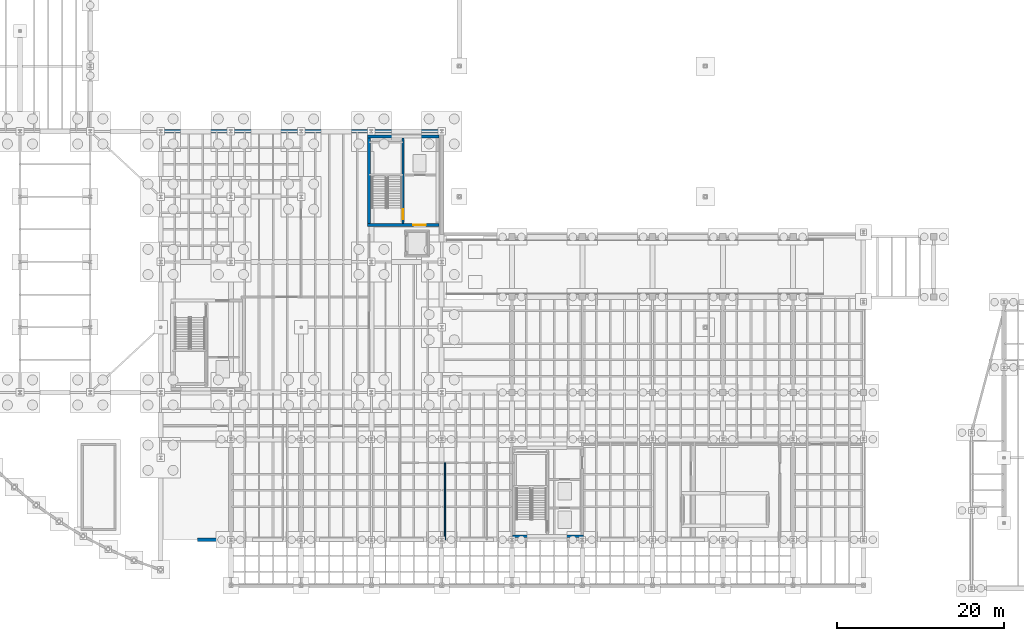
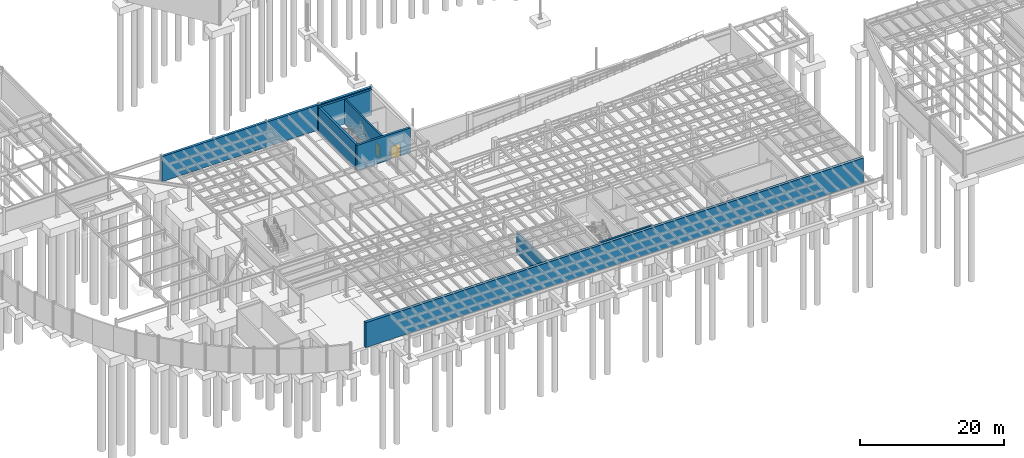
# One storey, part 34 of 41: 8 walls, 2 doors, 2 openings.
"""IFC4 building model written with IfcOpenShell, lengths in metres."""

from ifc_helpers import new_model, si_unit, direction, frame, frame_2d, origin, place, context, subcontext, project, spatial, rectangle, extrude, material, layer, layer_set, type_object, element, fill, save


model = new_model("IFC4")

# Units and contexts
model_context = context("Model", 3, precision=1e-05, world=origin(), true_north=direction((0.0, 1.0)))
body_context = subcontext(model_context, "Body", "Model", "MODEL_VIEW")
ifc_project = project(units=[si_unit("LENGTHUNIT", "METRE"), si_unit("AREAUNIT", "SQUARE_METRE"), si_unit("VOLUMEUNIT", "CUBIC_METRE"), si_unit("PLANEANGLEUNIT", "RADIAN"), si_unit("MASSUNIT", "GRAM", prefix="KILO")], contexts=[model_context])

# Site, building, storey
site_placement = place(None, origin())
site = spatial("IfcSite", under=ifc_project, at=site_placement, CompositionType="ELEMENT")
building_placement = place(site_placement, origin())
building = spatial("IfcBuilding", under=site, at=building_placement, Name="Selat Folded Stagehouse", CompositionType="ELEMENT")
storey_placement = place(building_placement, frame((0.0, 0.0, -4.5)))
storey = spatial("IfcBuildingStorey", under=building, at=storey_placement, Name="B1", CompositionType="ELEMENT", Elevation=-4.5)

# Wall, opening, door
ifc_material_1 = material(Name="Concrete C50/60", Category="concrete")
ifc_layer_1 = layer(ifc_material_1, 0.25)
ifc_layer_set_1 = layer_set([ifc_layer_1], Name="Concrete C50/60")
wall_type_1 = type_object("IfcWallType", Name="WAL-CORE-250", PredefinedType="SHEAR", material=ifc_layer_set_1)
wall_1_placement = place(storey_placement, frame((62.550048828125, 53.824951171875, 0.0), z_axis=(0.0, 0.0, 1.0), x_axis=(0.0, -1.0, 0.0)))
wall_1 = element("IfcWall", 1, at=wall_1_placement, inside=storey, type_object=wall_type_1, Name="B1 CR-2 internal core divider wall", PredefinedType="SHEAR", context=body_context, shape_type="SweptSolid", body=[
    extrude(rectangle(XDim=10.25, YDim=0.25, at=frame_2d((5.125, 0.0))), origin(), (0.0, 0.0, 1.0), 4.25),
])
opening_1_placement = place(wall_1_placement, frame((8.5, 0.0, 0.0)))
opening_1 = element("IfcOpeningElement", 2, at=opening_1_placement, cuts=wall_1, Name="Opening FD-120", PredefinedType="OPENING", context=body_context, shape_type="SweptSolid", body=[
    extrude(rectangle(XDim=1.199951171875, YDim=2.14990234375, at=frame_2d((0.60009765625, 1.074951171875))), frame((0.0, 0.135009765625, 0.0), z_axis=(0.0, -1.0, 0.0), x_axis=(1.0, 0.0, 0.0)), (0.0, 0.0, 1.0), 0.27001953125),
])
ifc_material_2 = material(Name="Fire-rated steel acoustic door", Category="steel")
door_type_1 = type_object("IfcDoorType", Name="DOR-FIRE-120", OperationType="NOTDEFINED", PredefinedType="DOOR", material=ifc_material_2)
door_1_placement = place(opening_1_placement, origin())
door_1 = element("IfcDoor", 3, at=door_1_placement, inside=storey, type_object=door_type_1, Name="B1 CR-2 protected stair fire door", OperationType="SINGLE_SWING_LEFT", OverallHeight=2.14990234375, OverallWidth=1.199951171875, PredefinedType="DOOR", context=body_context, shape_type="SweptSolid", body=[
    extrude(rectangle(XDim=1.199951171875, YDim=2.14990234375, at=frame_2d((0.60009765625, 1.074951171875))), frame((0.0, 0.02490234375, 0.0), z_axis=(0.0, -1.0, 0.0), x_axis=(1.0, 0.0, 0.0)), (0.0, 0.0, 1.0), 0.050048828125),
])
fill(opening_1, door_1)

# Walls
ifc_material_3 = material(Name="Sanitary cistern chase wall", Category="gypsum")
ifc_layer_2 = layer(ifc_material_3, 0.135009765625)
ifc_layer_set_2 = layer_set([ifc_layer_2], Name="Sanitary cistern chase wall")
wall_type_2 = type_object("IfcWallType", Name="WAL-PLMB-135", PredefinedType="PLUMBINGWALL", material=ifc_layer_set_2)
wall_2_placement = place(storey_placement, frame((67.60009765625, 5.800048828125, 0.0), z_axis=(0.0, 0.0, 1.0), x_axis=(0.0, 1.0, 0.0)))
element("IfcWall", 4, at=wall_2_placement, inside=storey, type_object=wall_type_2, Name="B1 interior partition wall 008", PredefinedType="PLUMBINGWALL", context=body_context, shape_type="SweptSolid", body=[
    extrude(rectangle(XDim=9.199951171875, YDim=0.135009765625, at=frame_2d((4.60009765625, 0.0))), origin(), (0.0, 0.0, 1.0), 3.708740234375),
])
ifc_material_4 = material(Name="Concrete C40/50", Category="concrete")
ifc_layer_3 = layer(ifc_material_4, 0.39990234375)
ifc_layer_set_3 = layer_set([ifc_layer_3], Name="Concrete C40/50")
wall_type_3 = type_object("IfcWallType", Name="WAL-RET-400", PredefinedType="USERDEFINED", material=ifc_layer_set_3)
wall_3_placement = place(storey_placement, frame((33.60009765625, 54.60009765625, 0.0), z_axis=(0.0, 0.0, 1.0), x_axis=(1.0, 0.0, 0.0)))
element("IfcWall", 5, at=wall_3_placement, inside=storey, type_object=wall_type_3, Name="B1 perimeter retaining wall 02", ObjectType="RETAININGWALL", PredefinedType="USERDEFINED", context=body_context, shape_type="SweptSolid", body=[
    extrude(rectangle(XDim=33.599853515625, YDim=0.39990234375, at=frame_2d((16.7998046875, 0.0))), origin(), (0.0, 0.0, 1.0), 4.239990234375),
])
ifc_layer_4 = layer(ifc_material_4, 0.449951171875)
ifc_layer_set_4 = layer_set([ifc_layer_4], Name="Concrete C40/50")
wall_type_4 = type_object("IfcWallType", Name="WAL-RET-450", PredefinedType="USERDEFINED", material=ifc_layer_set_4)
wall_4_placement = place(storey_placement, frame((117.60009765625, 5.800048828125, 0.0), z_axis=(0.0, 0.0, 1.0), x_axis=(-1.0, 0.0, 0.0)))
element("IfcWall", 6, at=wall_4_placement, inside=storey, type_object=wall_type_4, Name="B1 perimeter retaining wall 01", ObjectType="RETAININGWALL", PredefinedType="USERDEFINED", context=body_context, shape_type="SweptSolid", body=[
    extrude(rectangle(XDim=79.60009765625, YDim=0.449951171875, at=frame_2d((39.800048828125, 0.0))), origin(), (0.0, 0.0, 1.0), 4.239990234375),
])
ifc_layer_5 = layer(ifc_material_1, 0.300048828125)
ifc_layer_set_5 = layer_set([ifc_layer_5], Name="Concrete C50/60")
wall_type_5 = type_object("IfcWallType", Name="WAL-SW-300", PredefinedType="SHEAR", material=ifc_layer_set_5)
wall_5_placement = place(storey_placement, frame((84.14990234375, 6.199951171875, 0.0), z_axis=(0.0, 0.0, 1.0), x_axis=(-1.0, 0.0, 0.0)))
element("IfcWall", 7, at=wall_5_placement, inside=storey, type_object=wall_type_5, Name="B1 CR-3 south shear wall", PredefinedType="SHEAR", context=body_context, shape_type="SweptSolid", body=[
    extrude(rectangle(XDim=8.5, YDim=0.300048828125, at=frame_2d((4.25, 0.0))), origin(), (0.0, 0.0, 1.0), 4.25),
])

# Wall, opening, door
ifc_layer_6 = layer(ifc_material_1, 0.35009765625)
ifc_layer_set_6 = layer_set([ifc_layer_6], Name="Concrete C50/60")
wall_type_6 = type_object("IfcWallType", Name="WAL-SW-350", PredefinedType="SHEAR", material=ifc_layer_set_6)
wall_6_placement = place(storey_placement, frame((66.875, 43.39990234375, 0.0), z_axis=(0.0, 0.0, 1.0), x_axis=(-1.0, 0.0, 0.0)))
wall_6 = element("IfcWall", 8, at=wall_6_placement, inside=storey, type_object=wall_type_6, Name="B1 CR-2 south shear wall", PredefinedType="SHEAR", context=body_context, shape_type="SweptSolid", body=[
    extrude(rectangle(XDim=8.550048828125, YDim=0.35009765625, at=frame_2d((4.27490234375, 0.0))), origin(), (0.0, 0.0, 1.0), 4.25),
])
opening_2_placement = place(wall_6_placement, frame((1.574951171875, 0.0, 0.0)))
opening_2 = element("IfcOpeningElement", 9, at=opening_2_placement, cuts=wall_6, Name="Opening FD-120B", PredefinedType="OPENING", context=body_context, shape_type="SweptSolid", body=[
    extrude(rectangle(XDim=1.5, YDim=2.14990234375, at=frame_2d((0.75, 1.074951171875))), frame((0.0, 0.18505859375, 0.0), z_axis=(0.0, -1.0, 0.0), x_axis=(1.0, 0.0, 0.0)), (0.0, 0.0, 1.0), 0.3701171875),
])
ifc_material_5 = material(Name="Firefighting lobby double-leaf fire door", Category="wood")
door_type_2 = type_object("IfcDoorType", Name="DOR-FFL-1500", OperationType="NOTDEFINED", PredefinedType="DOOR", material=ifc_material_5)
door_2_placement = place(opening_2_placement, origin())
door_2 = element("IfcDoor", 10, at=door_2_placement, inside=storey, type_object=door_type_2, Name="B1 CR-2 core lobby fire door", OperationType="SINGLE_SWING_RIGHT", OverallHeight=2.14990234375, OverallWidth=1.5, PredefinedType="DOOR", context=body_context, shape_type="SweptSolid", body=[
    extrude(rectangle(XDim=1.5, YDim=2.14990234375, at=frame_2d((0.75, 1.074951171875))), frame((0.0, 0.02490234375, 0.0), z_axis=(0.0, -1.0, 0.0), x_axis=(1.0, 0.0, 0.0)), (0.0, 0.0, 1.0), 0.050048828125),
])
fill(opening_2, door_2)

# Walls
wall_7_placement = place(storey_placement, frame((58.324951171875, 54.0, 0.0), z_axis=(0.0, 0.0, 1.0), x_axis=(1.0, 0.0, 0.0)))
element("IfcWall", 11, at=wall_7_placement, inside=storey, type_object=wall_type_6, Name="B1 CR-2 north shear wall", PredefinedType="SHEAR", context=body_context, shape_type="SweptSolid", body=[
    extrude(rectangle(XDim=8.550048828125, YDim=0.35009765625, at=frame_2d((4.27490234375, 0.0))), origin(), (0.0, 0.0, 1.0), 4.25),
])
wall_8_placement = place(storey_placement, frame((58.5, 43.574951171875, 0.0), z_axis=(0.0, 0.0, 1.0), x_axis=(0.0, 1.0, 0.0)))
element("IfcWall", 12, at=wall_8_placement, inside=storey, type_object=wall_type_6, Name="B1 CR-2 west shear wall", PredefinedType="SHEAR", context=body_context, shape_type="SweptSolid", body=[
    extrude(rectangle(XDim=10.25, YDim=0.35009765625, at=frame_2d((5.125, 0.0))), origin(), (0.0, 0.0, 1.0), 4.25),
])

save(model, "model.ifc")
